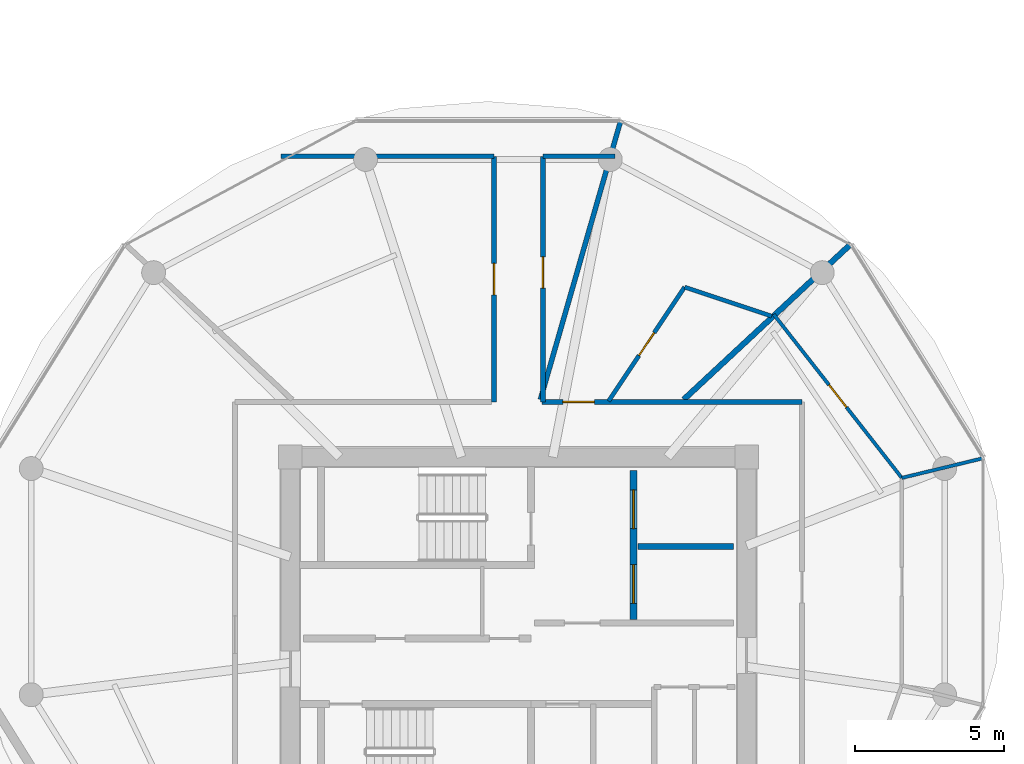
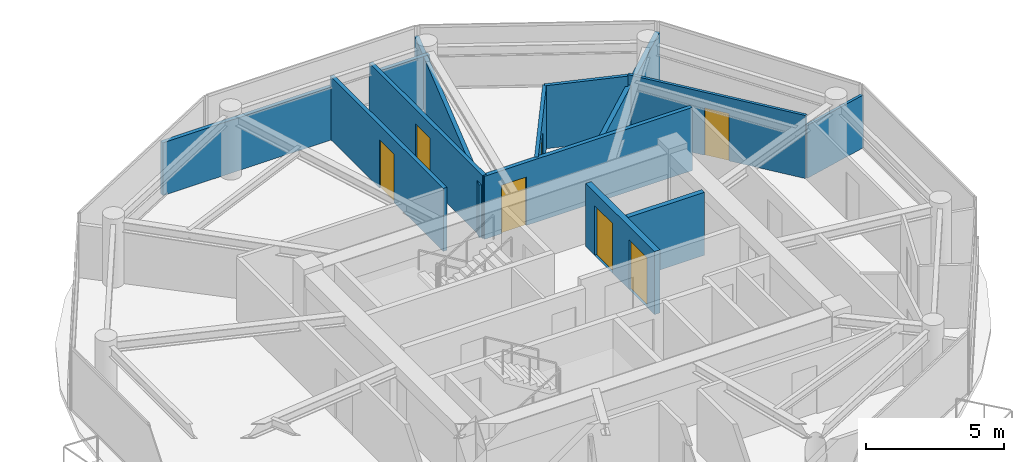
# One storey, part 16 of 21: 13 walls, 7 doors, 7 openings.
"""IFC4 building model written with IfcOpenShell, lengths in metres."""

from ifc_helpers import new_model, si_unit, direction, frame, frame_2d, origin, place, context, subcontext, project, spatial, rectangle, extrude, source, transform, mapped, material, layer, layer_set, type_object, type_shapes, element, fill, save


model = new_model("IFC4")

# Units and contexts
model_context = context("Model", 3, precision=1e-05, world=origin(), true_north=direction((0.0, 1.0)))
body_context = subcontext(model_context, "Body", "Model", "MODEL_VIEW")
ifc_project = project(units=[si_unit("LENGTHUNIT", "METRE"), si_unit("AREAUNIT", "SQUARE_METRE"), si_unit("VOLUMEUNIT", "CUBIC_METRE"), si_unit("PLANEANGLEUNIT", "RADIAN"), si_unit("MASSUNIT", "GRAM", prefix="KILO")], contexts=[model_context])

# Site, building, storey
site_placement = place(None, origin())
site = spatial("IfcSite", under=ifc_project, at=site_placement, CompositionType="ELEMENT")
building_placement = place(site_placement, origin())
building = spatial("IfcBuilding", under=site, at=building_placement, Name="Norrkilde Senior Care Towers", CompositionType="ELEMENT")
storey_placement = place(building_placement, frame((0.0, 0.0, 143.449951171875)))
storey = spatial("IfcBuildingStorey", under=building, at=storey_placement, Name="L44", CompositionType="ELEMENT", Elevation=143.449951171875)

# Walls
ifc_material_1 = material(Name="Gypsum Acoustic Board")
ifc_layer_1 = layer(ifc_material_1, 0.1650390625)
ifc_layer_set_1 = layer_set([ifc_layer_1], Name="Gypsum Acoustic Board")
wall_type_1 = type_object("IfcWallType", Name="Corridor Rated Partition 165", PredefinedType="PARTITIONING", material=ifc_layer_set_1)
shared_shape_1 = source(origin(), body_context, "Body", "SweptSolid", [
    extrude(rectangle(XDim=9.73046875, YDim=0.1650390625, at=frame_2d((4.865234375, 0.0))), origin(), (0.0, 0.0, 1.0), 2.344970703125),
])
wall_1_placement = place(storey_placement, frame((28.7333984375, 7.8798828125, 0.0), z_axis=(0.0, 0.0, 1.0), x_axis=(0.27679492614, 0.960929013436, 0.0)))
element("IfcWall", 1, at=wall_1_placement, inside=storey, type_object=wall_type_1, Name="WL-INT-L44-E-DEM-02-0", PredefinedType="PARTITIONING", context=body_context, shape_type="MappedRepresentation", body=[
    mapped(shared_shape_1, transform((0.0, 0.0, 0.0), x_axis=(1.0, 0.0, 0.0), y_axis=(0.0, 1.0, 0.0), z_axis=(0.0, 0.0, 1.0), scale=1.0)),
])
shared_shape_2 = source(origin(), body_context, "Body", "SweptSolid", [
    extrude(rectangle(XDim=2.418701171875, YDim=0.1650390625, at=frame_2d((1.20947265625, 0.0))), origin(), (0.0, 0.0, 1.0), 2.344970703125),
])
wall_2_placement = place(storey_placement, frame((28.820068359375, 16.035400390625, 0.0), z_axis=(0.0, 0.0, 1.0), x_axis=(1.0, 0.0, 0.0)))
element("IfcWall", 2, at=wall_2_placement, inside=storey, type_object=wall_type_1, Name="WL-INT-L44-E-PKH-NEL-0", PredefinedType="PARTITIONING", context=body_context, shape_type="MappedRepresentation", body=[
    mapped(shared_shape_2, transform((0.0, 0.0, 0.0), x_axis=(1.0, 0.0, 0.0), y_axis=(0.0, 1.0, 0.0), z_axis=(0.0, 0.0, 1.0), scale=1.0)),
])
shared_shape_3 = source(origin(), body_context, "Body", "SweptSolid", [
    extrude(rectangle(XDim=7.138916015625, YDim=0.1650390625, at=frame_2d((3.5693359375, 0.0))), origin(), (0.0, 0.0, 1.0), 2.344970703125),
])
wall_3_placement = place(storey_placement, frame((20.041015625, 16.035400390625, 0.0), z_axis=(0.0, 0.0, 1.0), x_axis=(1.0, 0.0, 0.0)))
element("IfcWall", 3, at=wall_3_placement, inside=storey, type_object=wall_type_1, Name="WL-INT-L44-E-PKH-NWL-0", PredefinedType="PARTITIONING", context=body_context, shape_type="MappedRepresentation", body=[
    mapped(shared_shape_3, transform((0.0, 0.0, 0.0), x_axis=(1.0, 0.0, 0.0), y_axis=(0.0, 1.0, 0.0), z_axis=(0.0, 0.0, 1.0), scale=1.0)),
])

# Wall, openings, doors
ifc_material_2 = material(Name="Concrete C45/55", Category="concrete")
ifc_layer_2 = layer(ifc_material_2, 0.239990234375)
ifc_layer_set_2 = layer_set([ifc_layer_2], Name="Concrete C45/55")
wall_type_2 = type_object("IfcWallType", Name="Lift and Plant Rated Enclosure Partition 240", PredefinedType="PARTITIONING", material=ifc_layer_set_2)
shared_shape_4 = source(origin(), body_context, "Body", "SweptSolid", [
    extrude(rectangle(XDim=5.0, YDim=0.239990234375, at=frame_2d((2.5, 0.0))), origin(), (0.0, 0.0, 1.0), 2.795166015625),
])
type_shapes(wall_type_2, [shared_shape_4])
wall_4_placement = place(storey_placement, frame((31.860107421875, 0.5, 0.0), z_axis=(0.0, 0.0, 1.0), x_axis=(0.0, 1.0, 0.0)))
wall_4 = element("IfcWall", 4, at=wall_4_placement, inside=storey, type_object=wall_type_2, Name="WL-INT-L44-E-FFLE", PredefinedType="PARTITIONING", context=body_context, shape_type="MappedRepresentation", body=[
    mapped(shared_shape_4, transform((0.0, 0.0, 0.0), x_axis=(1.0, 0.0, 0.0), y_axis=(0.0, 1.0, 0.0), z_axis=(0.0, 0.0, 1.0), scale=1.0)),
])
opening_1_placement = place(wall_4_placement, frame((3.050048828125, 0.0, 0.0)))
opening_1 = element("IfcOpeningElement", 5, at=opening_1_placement, cuts=wall_4, Name="Opening LD-02", PredefinedType="OPENING", context=body_context, shape_type="SweptSolid", body=[
    extrude(rectangle(XDim=1.300048828125, YDim=2.199951171875, at=frame_2d((0.64990234375, 1.10009765625))), frame((0.0, 0.1298828125, 0.0), z_axis=(0.0, -1.0, 0.0), x_axis=(1.0, 0.0, 0.0)), (0.0, 0.0, 1.0), 0.260009765625),
])
opening_2_placement = place(wall_4_placement, frame((0.550048828125, 0.0, 0.0)))
opening_2 = element("IfcOpeningElement", 6, at=opening_2_placement, cuts=wall_4, Name="Opening LD-02", PredefinedType="OPENING", context=body_context, shape_type="SweptSolid", body=[
    extrude(rectangle(XDim=1.300048828125, YDim=2.199951171875, at=frame_2d((0.64990234375, 1.10009765625))), frame((0.0, 0.1298828125, 0.0), z_axis=(0.0, -1.0, 0.0), x_axis=(1.0, 0.0, 0.0)), (0.0, 0.0, 1.0), 0.260009765625),
])
ifc_material_3 = material(Name="Stainless Steel", Category="steel")
door_type_1 = type_object("IfcDoorType", Name="Stretcher and FFL Landing Sliding Door 1300x2200", OperationType="NOTDEFINED", PredefinedType="DOOR", material=ifc_material_3)
shared_shape_5 = source(origin(), body_context, "Body", "SweptSolid", [
    extrude(rectangle(XDim=1.300048828125, YDim=2.199951171875, at=frame_2d((0.64990234375, 1.10009765625))), frame((0.0, 0.02490234375, 0.0), z_axis=(0.0, -1.0, 0.0), x_axis=(1.0, 0.0, 0.0)), (0.0, 0.0, 1.0), 0.050048828125),
])
type_shapes(door_type_1, [shared_shape_5])
door_1_placement = place(opening_1_placement, origin())
door_1 = element("IfcDoor", 7, at=door_1_placement, inside=storey, type_object=door_type_1, Name="L44 Firefighting Lift E1 Landing Door", OperationType="SLIDING_TO_LEFT", OverallHeight=2.199951171875, OverallWidth=1.300048828125, PredefinedType="DOOR", context=body_context, shape_type="MappedRepresentation", body=[
    mapped(shared_shape_5, transform((0.0, 0.0, 0.0), x_axis=(1.0, 0.0, 0.0), y_axis=(0.0, 1.0, 0.0), z_axis=(0.0, 0.0, 1.0), scale=1.0)),
])
fill(opening_1, door_1)
door_2_placement = place(opening_2_placement, origin())
door_2 = element("IfcDoor", 8, at=door_2_placement, inside=storey, type_object=door_type_1, Name="L44 Stretcher Lift E1 Landing Door", OperationType="SLIDING_TO_RIGHT", OverallHeight=2.199951171875, OverallWidth=1.300048828125, PredefinedType="DOOR", context=body_context, shape_type="MappedRepresentation", body=[
    mapped(shared_shape_5, transform((0.0, 0.0, 0.0), x_axis=(1.0, 0.0, 0.0), y_axis=(0.0, 1.0, 0.0), z_axis=(0.0, 0.0, 1.0), scale=1.0)),
])
fill(opening_2, door_2)

# Wall
ifc_layer_3 = layer(ifc_material_2, 0.199951171875)
ifc_layer_set_3 = layer_set([ifc_layer_3], Name="Concrete C45/55")
wall_type_3 = type_object("IfcWallType", Name="Shaft Division and Plant Partition 200", PredefinedType="PARTITIONING", material=ifc_layer_set_3)
shared_shape_6 = source(origin(), body_context, "Body", "SweptSolid", [
    extrude(rectangle(XDim=3.199951171875, YDim=0.199951171875, at=frame_2d((1.60009765625, 0.0))), origin(), (0.0, 0.0, 1.0), 2.795166015625),
])
type_shapes(wall_type_3, [shared_shape_6])
wall_5_placement = place(storey_placement, frame((32.0, 2.949951171875, 0.0), z_axis=(0.0, 0.0, 1.0), x_axis=(1.0, 0.0, 0.0)))
element("IfcWall", 9, at=wall_5_placement, inside=storey, type_object=wall_type_3, Name="WL-INT-L44-E-FFLDIV", PredefinedType="PARTITIONING", context=body_context, shape_type="MappedRepresentation", body=[
    mapped(shared_shape_6, transform((0.0, 0.0, 0.0), x_axis=(1.0, 0.0, 0.0), y_axis=(0.0, 1.0, 0.0), z_axis=(0.0, 0.0, 1.0), scale=1.0)),
])

# Wall, opening, door
shared_shape_7 = source(origin(), body_context, "Body", "SweptSolid", [
    extrude(rectangle(XDim=8.2353515625, YDim=0.1650390625, at=frame_2d((4.11767578125, 0.0))), origin(), (0.0, 0.0, 1.0), 2.795166015625),
])
wall_6_placement = place(storey_placement, frame((27.179931640625, 7.800048828125, 0.0), z_axis=(0.0, 0.0, 1.0), x_axis=(0.0, 1.0, 0.0)))
wall_6 = element("IfcWall", 10, at=wall_6_placement, inside=storey, type_object=wall_type_1, Name="WL-INT-L44-E-PKW-NWL", PredefinedType="PARTITIONING", context=body_context, shape_type="MappedRepresentation", body=[
    mapped(shared_shape_7, transform((0.0, 0.0, 0.0), x_axis=(1.0, 0.0, 0.0), y_axis=(0.0, 1.0, 0.0), z_axis=(0.0, 0.0, 1.0), scale=1.0)),
])
opening_3_placement = place(wall_6_placement, frame((3.5927734375, 0.0, 0.0)))
opening_3 = element("IfcOpeningElement", 11, at=opening_3_placement, cuts=wall_6, Name="Opening D-06", PredefinedType="OPENING", context=body_context, shape_type="SweptSolid", body=[
    extrude(rectangle(XDim=1.050048828125, YDim=2.14990234375, at=frame_2d((0.52490234375, 1.074951171875))), frame((0.0, 0.092529296875, 0.0), z_axis=(0.0, -1.0, 0.0), x_axis=(1.0, 0.0, 0.0)), (0.0, 0.0, 1.0), 0.18505859375),
])
ifc_material_4 = material(Name="Nordic Ash Timber", Category="wood")
door_type_2 = type_object("IfcDoorType", Name="Apartment Entrance Fire Door 1050x2150", OperationType="NOTDEFINED", PredefinedType="DOOR", material=ifc_material_4)
shared_shape_8 = source(origin(), body_context, "Body", "SweptSolid", [
    extrude(rectangle(XDim=1.050048828125, YDim=2.14990234375, at=frame_2d((0.52490234375, 1.074951171875))), frame((0.0, 0.02490234375, 0.0), z_axis=(0.0, -1.0, 0.0), x_axis=(1.0, 0.0, 0.0)), (0.0, 0.0, 1.0), 0.050048828125),
])
type_shapes(door_type_2, [shared_shape_8])
door_3_placement = place(opening_3_placement, frame((1.050048828125, 0.0, 0.0), z_axis=(0.0, 0.0, 1.0), x_axis=(-1.0, 0.0, 0.0)))
door_3 = element("IfcDoor", 12, at=door_3_placement, inside=storey, type_object=door_type_2, Name="L44 Reading Lounge NWL Door", OperationType="SINGLE_SWING_RIGHT", OverallHeight=2.14990234375, OverallWidth=1.050048828125, PredefinedType="DOOR", context=body_context, shape_type="MappedRepresentation", body=[
    mapped(shared_shape_8, transform((0.0, 0.0, 0.0), x_axis=(1.0, 0.0, 0.0), y_axis=(0.0, 1.0, 0.0), z_axis=(0.0, 0.0, 1.0), scale=1.0)),
])
fill(opening_3, door_3)

wall_7_placement = place(storey_placement, frame((28.820068359375, 7.800048828125, 0.0), z_axis=(0.0, 0.0, 1.0), x_axis=(0.0, 1.0, 0.0)))
wall_7 = element("IfcWall", 13, at=wall_7_placement, inside=storey, type_object=wall_type_1, Name="WL-INT-L44-E-PKW-NEL", PredefinedType="PARTITIONING", context=body_context, shape_type="MappedRepresentation", body=[
    mapped(shared_shape_7, transform((0.0, 0.0, 0.0), x_axis=(1.0, 0.0, 0.0), y_axis=(0.0, 1.0, 0.0), z_axis=(0.0, 0.0, 1.0), scale=1.0)),
])
opening_4_placement = place(wall_7_placement, frame((3.81298828125, 0.0, 0.0)))
opening_4 = element("IfcOpeningElement", 14, at=opening_4_placement, cuts=wall_7, Name="Opening D-06", PredefinedType="OPENING", context=body_context, shape_type="SweptSolid", body=[
    extrude(rectangle(XDim=1.050048828125, YDim=2.14990234375, at=frame_2d((0.52490234375, 1.074951171875))), frame((0.0, 0.092529296875, 0.0), z_axis=(0.0, -1.0, 0.0), x_axis=(1.0, 0.0, 0.0)), (0.0, 0.0, 1.0), 0.18505859375),
])
door_4_placement = place(opening_4_placement, frame((1.050048828125, 0.0, 0.0), z_axis=(0.0, 0.0, 1.0), x_axis=(-1.0, 0.0, 0.0)))
door_4 = element("IfcDoor", 15, at=door_4_placement, inside=storey, type_object=door_type_2, Name="L44 Reading Lounge NEL Door", OperationType="SINGLE_SWING_RIGHT", OverallHeight=2.14990234375, OverallWidth=1.050048828125, PredefinedType="DOOR", context=body_context, shape_type="MappedRepresentation", body=[
    mapped(shared_shape_8, transform((0.0, 0.0, 0.0), x_axis=(1.0, 0.0, 0.0), y_axis=(0.0, 1.0, 0.0), z_axis=(0.0, 0.0, 1.0), scale=1.0)),
])
fill(opening_4, door_4)

shared_shape_9 = source(origin(), body_context, "Body", "SweptSolid", [
    extrude(rectangle(XDim=8.719482421875, YDim=0.1650390625, at=frame_2d((4.35986328125, 0.0))), origin(), (0.0, 0.0, 1.0), 2.795166015625),
])
type_shapes(wall_type_1, [shared_shape_1, shared_shape_2, shared_shape_3, shared_shape_7, shared_shape_9])
wall_8_placement = place(storey_placement, frame((28.780517578125, 7.800048828125, 0.0), z_axis=(0.0, 0.0, 1.0), x_axis=(1.0, 0.0, 0.0)))
wall_8 = element("IfcWall", 16, at=wall_8_placement, inside=storey, type_object=wall_type_1, Name="WL-INT-L44-E-CRW-N-1", PredefinedType="PARTITIONING", context=body_context, shape_type="MappedRepresentation", body=[
    mapped(shared_shape_9, transform((0.0, 0.0, 0.0), x_axis=(1.0, 0.0, 0.0), y_axis=(0.0, 1.0, 0.0), z_axis=(0.0, 0.0, 1.0), scale=1.0)),
])
opening_5_placement = place(wall_8_placement, frame((0.710205078125, 0.0, 0.0)))
opening_5 = element("IfcOpeningElement", 17, at=opening_5_placement, cuts=wall_8, Name="Opening D-06", PredefinedType="OPENING", context=body_context, shape_type="SweptSolid", body=[
    extrude(rectangle(XDim=1.050048828125, YDim=2.14990234375, at=frame_2d((0.52490234375, 1.074951171875))), frame((0.0, 0.092529296875, 0.0), z_axis=(0.0, -1.0, 0.0), x_axis=(1.0, 0.0, 0.0)), (0.0, 0.0, 1.0), 0.18505859375),
])
door_5_placement = place(opening_5_placement, frame((1.050048828125, 0.0, 0.0), z_axis=(0.0, 0.0, 1.0), x_axis=(-1.0, 0.0, 0.0)))
door_5 = element("IfcDoor", 18, at=door_5_placement, inside=storey, type_object=door_type_2, Name="L44 Studio 44C Entrance Door", OperationType="SINGLE_SWING_LEFT", OverallHeight=2.14990234375, OverallWidth=1.050048828125, PredefinedType="DOOR", context=body_context, shape_type="MappedRepresentation", body=[
    mapped(shared_shape_8, transform((0.0, 0.0, 0.0), x_axis=(1.0, 0.0, 0.0), y_axis=(0.0, 1.0, 0.0), z_axis=(0.0, 0.0, 1.0), scale=1.0)),
])
fill(opening_5, door_5)

# Wall
ifc_layer_4 = layer(ifc_material_1, 0.18994140625)
ifc_layer_set_4 = layer_set([ifc_layer_4], Name="Gypsum Acoustic Board")
wall_type_4 = type_object("IfcWallType", Name="Unit Demising Acoustic Wall 190", PredefinedType="PARTITIONING", material=ifc_layer_set_4)
shared_shape_10 = source(origin(), body_context, "Body", "SweptSolid", [
    extrude(rectangle(XDim=7.64794921875, YDim=0.18994140625, at=frame_2d((3.823974609375, 0.0))), origin(), (0.0, 0.0, 1.0), 2.344970703125),
])
type_shapes(wall_type_4, [shared_shape_10])
wall_9_placement = place(storey_placement, frame((33.53759765625, 7.8798828125, 0.0), z_axis=(0.0, 0.0, 1.0), x_axis=(0.732167856666, 0.681124239522, 0.0)))
element("IfcWall", 19, at=wall_9_placement, inside=storey, type_object=wall_type_4, Name="WL-INT-L44-E-DEM-01-0", PredefinedType="PARTITIONING", context=body_context, shape_type="MappedRepresentation", body=[
    mapped(shared_shape_10, transform((0.0, 0.0, 0.0), x_axis=(1.0, 0.0, 0.0), y_axis=(0.0, 1.0, 0.0), z_axis=(0.0, 0.0, 1.0), scale=1.0)),
])

# Wall, opening, door
ifc_layer_5 = layer(ifc_material_1, 0.114990234375)
ifc_layer_set_5 = layer_set([ifc_layer_5], Name="Gypsum Acoustic Board")
wall_type_5 = type_object("IfcWallType", Name="Internal Room Partition 115", PredefinedType="PARTITIONING", material=ifc_layer_set_5)
shared_shape_11 = source(origin(), body_context, "Body", "SweptSolid", [
    extrude(rectangle(XDim=6.966064453125, YDim=0.114990234375, at=frame_2d((3.48291015625, 0.0))), origin(), (0.0, 0.0, 1.0), 2.795166015625),
])
wall_10_placement = place(storey_placement, frame((40.849609375, 5.253662109375, 0.0), z_axis=(0.0, 0.0, 1.0), x_axis=(-0.616695640563, 0.787201681217, 0.0)))
wall_10 = element("IfcWall", 20, at=wall_10_placement, inside=storey, type_object=wall_type_5, Name="WL-INT-L44-E-UBC-10-2", PredefinedType="PARTITIONING", context=body_context, shape_type="MappedRepresentation", body=[
    mapped(shared_shape_11, transform((0.0, 0.0, 0.0), x_axis=(1.0, 0.0, 0.0), y_axis=(0.0, 1.0, 0.0), z_axis=(0.0, 0.0, 1.0), scale=1.0)),
])
opening_6_placement = place(wall_10_placement, frame((3.008056640625, 0.0, 0.0)))
opening_6 = element("IfcOpeningElement", 21, at=opening_6_placement, cuts=wall_10, Name="Opening D-07", PredefinedType="OPENING", context=body_context, shape_type="SweptSolid", body=[
    extrude(rectangle(XDim=0.949951171875, YDim=2.10009765625, at=frame_2d((0.47509765625, 1.050048828125))), frame((0.0, 0.0673828125, 0.0), z_axis=(0.0, -1.0, 0.0), x_axis=(1.0, 0.0, 0.0)), (0.0, 0.0, 1.0), 0.135009765625),
])
door_type_3 = type_object("IfcDoorType", Name="Internal Suite Bedroom Door 950x2100", OperationType="NOTDEFINED", PredefinedType="DOOR", material=ifc_material_4)
shared_shape_12 = source(origin(), body_context, "Body", "SweptSolid", [
    extrude(rectangle(XDim=0.949951171875, YDim=2.10009765625, at=frame_2d((0.47509765625, 1.050048828125))), frame((0.0, 0.02490234375, 0.0), z_axis=(0.0, -1.0, 0.0), x_axis=(1.0, 0.0, 0.0)), (0.0, 0.0, 1.0), 0.050048828125),
])
type_shapes(door_type_3, [shared_shape_12])
door_6_placement = place(opening_6_placement, frame((0.949951171875, 0.0, 0.0), z_axis=(0.0, 0.0, 1.0), x_axis=(-1.0, 0.0, 0.0)))
door_6 = element("IfcDoor", 22, at=door_6_placement, inside=storey, type_object=door_type_3, Name="Apartment 44B Bedroom 2 Door", OperationType="SINGLE_SWING_LEFT", OverallHeight=2.10009765625, OverallWidth=0.949951171875, PredefinedType="DOOR", context=body_context, shape_type="MappedRepresentation", body=[
    mapped(shared_shape_12, transform((0.0, 0.0, 0.0), x_axis=(1.0, 0.0, 0.0), y_axis=(0.0, 1.0, 0.0), z_axis=(0.0, 0.0, 1.0), scale=1.0)),
])
fill(opening_6, door_6)

# Wall
shared_shape_13 = source(origin(), body_context, "Body", "SweptSolid", [
    extrude(rectangle(XDim=2.818359375, YDim=0.114990234375, at=frame_2d((1.4091796875, 0.0))), origin(), (0.0, 0.0, 1.0), 2.344970703125),
])
type_shapes(wall_type_5, [shared_shape_11, shared_shape_13])
wall_11_placement = place(storey_placement, frame((40.849609375, 5.253662109375, 0.0), z_axis=(0.0, 0.0, 1.0), x_axis=(0.971949193017, 0.235190914353, 0.0)))
element("IfcWall", 23, at=wall_11_placement, inside=storey, type_object=wall_type_5, Name="WL-INT-L44-E-UBR-10-2", PredefinedType="PARTITIONING", context=body_context, shape_type="MappedRepresentation", body=[
    mapped(shared_shape_13, transform((0.0, 0.0, 0.0), x_axis=(1.0, 0.0, 0.0), y_axis=(0.0, 1.0, 0.0), z_axis=(0.0, 0.0, 1.0), scale=1.0)),
])

# Wall, opening, door
ifc_layer_6 = layer(ifc_material_1, 0.139892578125)
ifc_layer_set_6 = layer_set([ifc_layer_6], Name="Gypsum Acoustic Board")
wall_type_6 = type_object("IfcWallType", Name="En-suite Wet Room Wall 140", PredefinedType="PARTITIONING", material=ifc_layer_set_6)
shared_shape_14 = source(origin(), body_context, "Body", "SweptSolid", [
    extrude(rectangle(XDim=4.593017578125, YDim=0.139892578125, at=frame_2d((2.29638671875, 0.0))), origin(), (0.0, 0.0, 1.0), 2.795166015625),
])
wall_12_placement = place(storey_placement, frame((31.018798828125, 7.830078125, 0.0), z_axis=(0.0, 0.0, 1.0), x_axis=(0.555362412301, 0.831608436107, 0.0)))
wall_12 = element("IfcWall", 24, at=wall_12_placement, inside=storey, type_object=wall_type_6, Name="WL-INT-L44-E-ES-01", PredefinedType="PARTITIONING", context=body_context, shape_type="MappedRepresentation", body=[
    mapped(shared_shape_14, transform((0.0, 0.0, 0.0), x_axis=(1.0, 0.0, 0.0), y_axis=(0.0, 1.0, 0.0), z_axis=(0.0, 0.0, 1.0), scale=1.0)),
])
opening_7_placement = place(wall_12_placement, frame((1.83642578125, 0.0, 0.0)))
opening_7 = element("IfcOpeningElement", 25, at=opening_7_placement, cuts=wall_12, Name="Opening D-08", PredefinedType="OPENING", context=body_context, shape_type="SweptSolid", body=[
    extrude(rectangle(XDim=0.919921875, YDim=2.10009765625, at=frame_2d((0.4599609375, 1.050048828125))), frame((0.0, 0.079833984375, 0.0), z_axis=(0.0, -1.0, 0.0), x_axis=(1.0, 0.0, 0.0)), (0.0, 0.0, 1.0), 0.159912109375),
])
door_type_4 = type_object("IfcDoorType", Name="Accessible Wet Room Door 920x2100", OperationType="NOTDEFINED", PredefinedType="DOOR", material=ifc_material_4)
shared_shape_15 = source(origin(), body_context, "Body", "SweptSolid", [
    extrude(rectangle(XDim=0.919921875, YDim=2.10009765625, at=frame_2d((0.4599609375, 1.050048828125))), frame((0.0, 0.02490234375, 0.0), z_axis=(0.0, -1.0, 0.0), x_axis=(1.0, 0.0, 0.0)), (0.0, 0.0, 1.0), 0.050048828125),
])
type_shapes(door_type_4, [shared_shape_15])
door_7_placement = place(opening_7_placement, origin())
door_7 = element("IfcDoor", 26, at=door_7_placement, inside=storey, type_object=door_type_4, Name="L44 Studio 44C Bathroom Door", OperationType="SINGLE_SWING_RIGHT", OverallHeight=2.10009765625, OverallWidth=0.919921875, PredefinedType="DOOR", context=body_context, shape_type="MappedRepresentation", body=[
    mapped(shared_shape_15, transform((0.0, 0.0, 0.0), x_axis=(1.0, 0.0, 0.0), y_axis=(0.0, 1.0, 0.0), z_axis=(0.0, 0.0, 1.0), scale=1.0)),
])
fill(opening_7, door_7)

# Wall
shared_shape_16 = source(origin(), body_context, "Body", "SweptSolid", [
    extrude(rectangle(XDim=3.07666015625, YDim=0.139892578125, at=frame_2d((1.538330078125, 0.0))), origin(), (0.0, 0.0, 1.0), 2.795166015625),
])
type_shapes(wall_type_6, [shared_shape_14, shared_shape_16])
wall_13_placement = place(storey_placement, frame((33.569580078125, 11.649658203125, 0.0), z_axis=(0.0, 0.0, 1.0), x_axis=(0.948635676976, -0.3163705934, 0.0)))
element("IfcWall", 27, at=wall_13_placement, inside=storey, type_object=wall_type_6, Name="WL-INT-L44-E-EF-01", PredefinedType="PARTITIONING", context=body_context, shape_type="MappedRepresentation", body=[
    mapped(shared_shape_16, transform((0.0, 0.0, 0.0), x_axis=(1.0, 0.0, 0.0), y_axis=(0.0, 1.0, 0.0), z_axis=(0.0, 0.0, 1.0), scale=1.0)),
])

save(model, "model.ifc")
